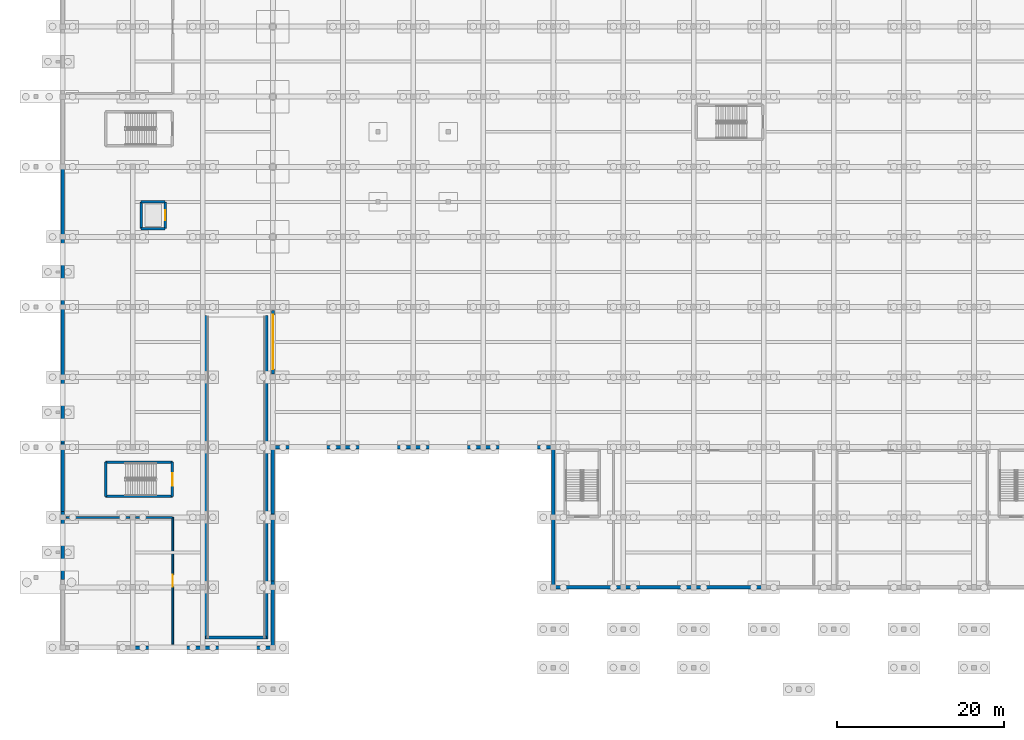
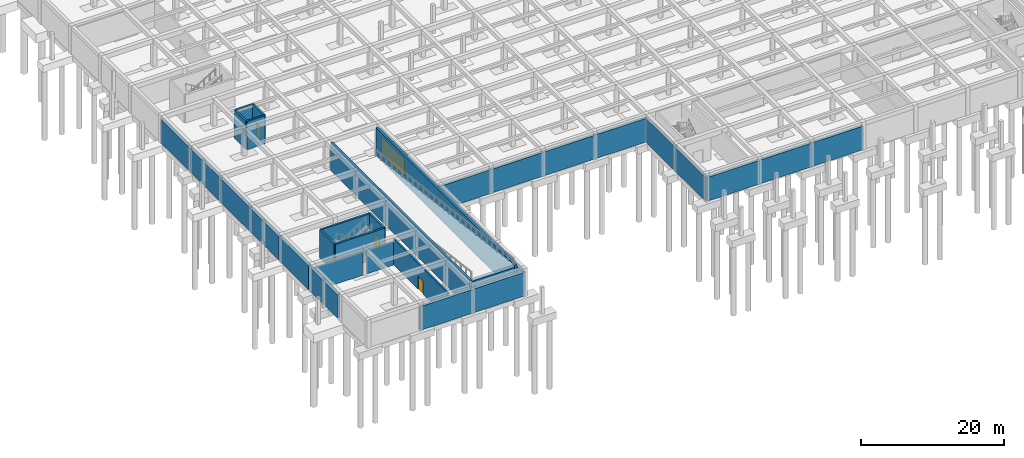
# One storey, part 24 of 51: 35 walls, 4 doors, 4 openings.
"""IFC4 building model written with IfcOpenShell, lengths in metres."""

from ifc_helpers import new_model, si_unit, direction, frame, frame_2d, origin, place, context, subcontext, project, spatial, rectangle, extrude, material, layer, layer_set, type_object, element, fill, save


model = new_model("IFC4")

# Units and contexts
model_context = context("Model", 3, precision=1e-05, world=origin(), true_north=direction((0.0, 1.0)))
body_context = subcontext(model_context, "Body", "Model", "MODEL_VIEW")
ifc_project = project(units=[si_unit("LENGTHUNIT", "METRE"), si_unit("AREAUNIT", "SQUARE_METRE"), si_unit("VOLUMEUNIT", "CUBIC_METRE"), si_unit("PLANEANGLEUNIT", "RADIAN"), si_unit("MASSUNIT", "GRAM", prefix="KILO")], contexts=[model_context])

# Site, building, storey
site_placement = place(None, origin())
site = spatial("IfcSite", under=ifc_project, at=site_placement, CompositionType="ELEMENT")
building_placement = place(site_placement, origin())
building = spatial("IfcBuilding", under=site, at=building_placement, Name="Varncliffe General Hospital", CompositionType="ELEMENT")
storey_placement = place(building_placement, frame((0.0, 0.0, -4.800048828125)))
storey = spatial("IfcBuildingStorey", under=building, at=storey_placement, Name="B1", CompositionType="ELEMENT", Elevation=-4.800048828125)

# Walls
ifc_material_1 = material(Name="Concrete C40/50 (CSA A23.1 40 MPa)", Category="concrete")
ifc_layer_1 = layer(ifc_material_1, 0.419921875)
ifc_layer_set_1 = layer_set([ifc_layer_1], Name="Concrete C40/50 (CSA A23.1 40 MPa)")
wall_type_1 = type_object("IfcWallType", Name="Exterior Insulated Stucco Wall EW28 (420mm)", PredefinedType="SOLIDWALL", material=ifc_layer_set_1)
wall_1_placement = place(storey_placement, frame((0.0, 40.800048828125, 0.0), z_axis=(0.0, 0.0, 1.0), x_axis=(0.0, 1.0, 0.0)))
element("IfcWall", 1, at=wall_1_placement, inside=storey, type_object=wall_type_1, Name="B1 Perimeter Retaining Wall 1", PredefinedType="SOLIDWALL", context=body_context, shape_type="SweptSolid", body=[
    extrude(rectangle(XDim=8.39990234375, YDim=0.419921875, at=frame_2d((4.199951171875, 0.0))), origin(), (0.0, 0.0, 1.0), 4.050048828125),
])
wall_2_placement = place(storey_placement, frame((0.0, 49.199951171875, 0.0), z_axis=(0.0, 0.0, 1.0), x_axis=(0.0, 1.0, 0.0)))
element("IfcWall", 2, at=wall_2_placement, inside=storey, type_object=wall_type_1, Name="B1 Perimeter Retaining Wall 2", PredefinedType="SOLIDWALL", context=body_context, shape_type="SweptSolid", body=[
    extrude(rectangle(XDim=8.400146484375, YDim=0.419921875, at=frame_2d((4.2001953125, 0.0))), origin(), (0.0, 0.0, 1.0), 4.050048828125),
])
wall_3_placement = place(storey_placement, frame((84.0, 7.199951171875, 0.0), z_axis=(0.0, 0.0, 1.0), x_axis=(-1.0, 0.0, 0.0)))
element("IfcWall", 3, at=wall_3_placement, inside=storey, type_object=wall_type_1, Name="B1 Perimeter Retaining Wall 67", PredefinedType="SOLIDWALL", context=body_context, shape_type="SweptSolid", body=[
    extrude(rectangle(XDim=8.39990234375, YDim=0.419921875, at=frame_2d((4.199951171875, 0.0))), origin(), (0.0, 0.0, 1.0), 4.050048828125),
])
wall_4_placement = place(storey_placement, frame((75.60009765625, 7.199951171875, 0.0), z_axis=(0.0, 0.0, 1.0), x_axis=(-1.0, 0.0, 0.0)))
element("IfcWall", 4, at=wall_4_placement, inside=storey, type_object=wall_type_1, Name="B1 Perimeter Retaining Wall 68", PredefinedType="SOLIDWALL", context=body_context, shape_type="SweptSolid", body=[
    extrude(rectangle(XDim=8.400146484375, YDim=0.419921875, at=frame_2d((4.2001953125, 0.0))), origin(), (0.0, 0.0, 1.0), 4.050048828125),
])
wall_5_placement = place(storey_placement, frame((67.199951171875, 7.199951171875, 0.0), z_axis=(0.0, 0.0, 1.0), x_axis=(-1.0, 0.0, 0.0)))
element("IfcWall", 5, at=wall_5_placement, inside=storey, type_object=wall_type_1, Name="B1 Perimeter Retaining Wall 69", PredefinedType="SOLIDWALL", context=body_context, shape_type="SweptSolid", body=[
    extrude(rectangle(XDim=8.39990234375, YDim=0.419921875, at=frame_2d((4.199951171875, 0.0))), origin(), (0.0, 0.0, 1.0), 4.050048828125),
])
wall_6_placement = place(storey_placement, frame((58.800048828125, 7.199951171875, 0.0), z_axis=(0.0, 0.0, 1.0), x_axis=(0.0, 1.0, 0.0)))
element("IfcWall", 6, at=wall_6_placement, inside=storey, type_object=wall_type_1, Name="B1 Perimeter Retaining Wall 70", PredefinedType="SOLIDWALL", context=body_context, shape_type="SweptSolid", body=[
    extrude(rectangle(XDim=8.400146484375, YDim=0.419921875, at=frame_2d((4.2001953125, 0.0))), origin(), (0.0, 0.0, 1.0), 4.050048828125),
])
wall_7_placement = place(storey_placement, frame((58.800048828125, 15.60009765625, 0.0), z_axis=(0.0, 0.0, 1.0), x_axis=(0.0, 1.0, 0.0)))
element("IfcWall", 7, at=wall_7_placement, inside=storey, type_object=wall_type_1, Name="B1 Perimeter Retaining Wall 71", PredefinedType="SOLIDWALL", context=body_context, shape_type="SweptSolid", body=[
    extrude(rectangle(XDim=8.39990234375, YDim=0.419921875, at=frame_2d((4.199951171875, 0.0))), origin(), (0.0, 0.0, 1.0), 4.050048828125),
])
wall_8_placement = place(storey_placement, frame((58.800048828125, 24.0, 0.0), z_axis=(0.0, 0.0, 1.0), x_axis=(-1.0, 0.0, 0.0)))
element("IfcWall", 8, at=wall_8_placement, inside=storey, type_object=wall_type_1, Name="B1 Perimeter Retaining Wall 72", PredefinedType="SOLIDWALL", context=body_context, shape_type="SweptSolid", body=[
    extrude(rectangle(XDim=8.400146484375, YDim=0.419921875, at=frame_2d((4.2001953125, 0.0))), origin(), (0.0, 0.0, 1.0), 4.050048828125),
])
for number, where, z_axis, x_axis, name in (
    (9, (50.39990234375, 24.0, 0.0), (0.0, 0.0, 1.0), (-1.0, 0.0, 0.0), "B1 Perimeter Retaining Wall 73"),
    (10, (42.0, 24.0, 0.0), (0.0, 0.0, 1.0), (-1.0, 0.0, 0.0), "B1 Perimeter Retaining Wall 74"),
):
    element("IfcWall", number, at=place(storey_placement, frame(where, z_axis=z_axis, x_axis=x_axis)), inside=storey, type_object=wall_type_1, Name=name, PredefinedType="SOLIDWALL", context=body_context, shape_type="SweptSolid", body=[
        extrude(rectangle(XDim=8.39990234375, YDim=0.419921875, at=frame_2d((4.199951171875, 0.0))), origin(), (0.0, 0.0, 1.0), 4.050048828125),
    ])
wall_9_placement = place(storey_placement, frame((33.60009765625, 24.0, 0.0), z_axis=(0.0, 0.0, 1.0), x_axis=(-1.0, 0.0, 0.0)))
element("IfcWall", 11, at=wall_9_placement, inside=storey, type_object=wall_type_1, Name="B1 Perimeter Retaining Wall 75", PredefinedType="SOLIDWALL", context=body_context, shape_type="SweptSolid", body=[
    extrude(rectangle(XDim=8.400146484375, YDim=0.419921875, at=frame_2d((4.2001953125, 0.0))), origin(), (0.0, 0.0, 1.0), 4.050048828125),
])
for number, where, z_axis, x_axis, name in (
    (12, (25.199951171875, 24.0, 0.0), (0.0, 0.0, 1.0), (0.0, -1.0, 0.0), "B1 Perimeter Retaining Wall 76"),
    (13, (25.199951171875, 16.0, 0.0), (0.0, 0.0, 1.0), (0.0, -1.0, 0.0), "B1 Perimeter Retaining Wall 77"),
    (14, (25.199951171875, 8.0, 0.0), (0.0, 0.0, 1.0), (0.0, -1.0, 0.0), "B1 Perimeter Retaining Wall 78"),
):
    element("IfcWall", number, at=place(storey_placement, frame(where, z_axis=z_axis, x_axis=x_axis)), inside=storey, type_object=wall_type_1, Name=name, PredefinedType="SOLIDWALL", context=body_context, shape_type="SweptSolid", body=[
        extrude(rectangle(XDim=8.0, YDim=0.419921875, at=frame_2d((4.0, 0.0))), origin(), (0.0, 0.0, 1.0), 4.050048828125),
    ])
wall_10_placement = place(storey_placement, frame((25.199951171875, 0.0, 0.0), z_axis=(0.0, 0.0, 1.0), x_axis=(-1.0, 0.0, 0.0)))
element("IfcWall", 15, at=wall_10_placement, inside=storey, type_object=wall_type_1, Name="B1 Perimeter Retaining Wall 79", PredefinedType="SOLIDWALL", context=body_context, shape_type="SweptSolid", body=[
    extrude(rectangle(XDim=8.39990234375, YDim=0.419921875, at=frame_2d((4.199951171875, 0.0))), origin(), (0.0, 0.0, 1.0), 4.050048828125),
])
wall_11_placement = place(storey_placement, frame((16.800048828125, 0.0, 0.0), z_axis=(0.0, 0.0, 1.0), x_axis=(-1.0, 0.0, 0.0)))
element("IfcWall", 16, at=wall_11_placement, inside=storey, type_object=wall_type_1, Name="B1 Perimeter Retaining Wall 80", PredefinedType="SOLIDWALL", context=body_context, shape_type="SweptSolid", body=[
    extrude(rectangle(XDim=8.400146484375, YDim=0.419921875, at=frame_2d((4.2001953125, 0.0))), origin(), (0.0, 0.0, 1.0), 4.050048828125),
])
wall_12_placement = place(storey_placement, frame((0.0, 8.159912109375, 0.0), z_axis=(0.0, 0.0, 1.0), x_axis=(0.0, 1.0, 0.0)))
element("IfcWall", 17, at=wall_12_placement, inside=storey, type_object=wall_type_1, Name="B1 Perimeter Retaining Wall 83", PredefinedType="SOLIDWALL", context=body_context, shape_type="SweptSolid", body=[
    extrude(rectangle(XDim=8.16015625, YDim=0.419921875, at=frame_2d((4.080078125, 0.0))), origin(), (0.0, 0.0, 1.0), 4.050048828125),
])
for number, where, z_axis, x_axis, name in (
    (18, (0.0, 16.320068359375, 0.0), (0.0, 0.0, 1.0), (0.0, 1.0, 0.0), "B1 Perimeter Retaining Wall 84"),
    (19, (0.0, 24.47998046875, 0.0), (0.0, 0.0, 1.0), (0.0, 1.0, 0.0), "B1 Perimeter Retaining Wall 85"),
):
    element("IfcWall", number, at=place(storey_placement, frame(where, z_axis=z_axis, x_axis=x_axis)), inside=storey, type_object=wall_type_1, Name=name, PredefinedType="SOLIDWALL", context=body_context, shape_type="SweptSolid", body=[
        extrude(rectangle(XDim=8.159912109375, YDim=0.419921875, at=frame_2d((4.080078125, 0.0))), origin(), (0.0, 0.0, 1.0), 4.050048828125),
    ])
wall_13_placement = place(storey_placement, frame((0.0, 32.639892578125, 0.0), z_axis=(0.0, 0.0, 1.0), x_axis=(0.0, 1.0, 0.0)))
element("IfcWall", 20, at=wall_13_placement, inside=storey, type_object=wall_type_1, Name="B1 Perimeter Retaining Wall 86", PredefinedType="SOLIDWALL", context=body_context, shape_type="SweptSolid", body=[
    extrude(rectangle(XDim=8.16015625, YDim=0.419921875, at=frame_2d((4.080078125, 0.0))), origin(), (0.0, 0.0, 1.0), 4.050048828125),
])
ifc_material_2 = material(Name="Fire-rated gypsum and mineral-wool partition assembly", Category="gypsum")
ifc_layer_2 = layer(ifc_material_2, 0.25)
ifc_layer_set_2 = layer_set([ifc_layer_2], Name="Fire-rated gypsum and mineral-wool partition assembly")
wall_type_2 = type_object("IfcWallType", Name="Interior Partitioning PW38 (250mm)", PredefinedType="PARTITIONING", material=ifc_layer_set_2)
wall_14_placement = place(storey_placement, frame((0.39990234375, 15.60009765625, 0.0), z_axis=(0.0, 0.0, 1.0), x_axis=(1.0, 0.0, 0.0)))
element("IfcWall", 21, at=wall_14_placement, inside=storey, type_object=wall_type_2, Name="B1 Interior Partition Wall PW38-1", PredefinedType="PARTITIONING", context=body_context, shape_type="SweptSolid", body=[
    extrude(rectangle(XDim=7.66015625, YDim=0.25, at=frame_2d((3.830078125, 0.0))), origin(), (0.0, 0.0, 1.0), 3.985107421875),
])
wall_15_placement = place(storey_placement, frame((8.739990234375, 15.60009765625, 0.0), z_axis=(0.0, 0.0, 1.0), x_axis=(1.0, 0.0, 0.0)))
element("IfcWall", 22, at=wall_15_placement, inside=storey, type_object=wall_type_2, Name="B1 Interior Partition Wall PW38-2", PredefinedType="PARTITIONING", context=body_context, shape_type="SweptSolid", body=[
    extrude(rectangle(XDim=4.4599609375, YDim=0.25, at=frame_2d((2.22998046875, 0.0))), origin(), (0.0, 0.0, 1.0), 3.985107421875),
])

# Wall, opening, door
ifc_layer_3 = layer(ifc_material_2, 0.22998046875)
ifc_layer_set_3 = layer_set([ifc_layer_3], Name="Fire-rated gypsum and mineral-wool partition assembly")
wall_type_3 = type_object("IfcWallType", Name="Interior Partitioning PW48 (230mm)", PredefinedType="PARTITIONING", material=ifc_layer_set_3)
wall_16_placement = place(storey_placement, frame((13.199951171875, 0.39990234375, 0.0), z_axis=(0.0, 0.0, 1.0), x_axis=(0.0, 1.0, 0.0)))
wall_16 = element("IfcWall", 23, at=wall_16_placement, inside=storey, type_object=wall_type_3, Name="B1 Interior Partition Wall PW48-44", PredefinedType="PARTITIONING", context=body_context, shape_type="SweptSolid", body=[
    extrude(rectangle(XDim=15.2001953125, YDim=0.22998046875, at=frame_2d((7.60009765625, 0.0))), origin(), (0.0, 0.0, 1.0), 4.43994140625),
])
opening_1_placement = place(wall_16_placement, frame((6.875, 0.0, 0.0)))
opening_1 = element("IfcOpeningElement", 24, at=opening_1_placement, cuts=wall_16, Name="Opening DC66", PredefinedType="OPENING", context=body_context, shape_type="SweptSolid", body=[
    extrude(rectangle(XDim=1.449951171875, YDim=2.25, at=frame_2d((0.72509765625, 1.125))), frame((0.0, 0.125, 0.0), z_axis=(0.0, -1.0, 0.0), x_axis=(1.0, 0.0, 0.0)), (0.0, 0.0, 1.0), 0.25),
])
ifc_material_3 = material(Name="Fire-rated hospital steel-frame vision-panel door", Category="steel")
door_type_1 = type_object("IfcDoorType", Name="Interior Hospital Door DC66 (1450x2250)", OperationType="NOTDEFINED", PredefinedType="DOOR", material=ifc_material_3)
door_1_placement = place(opening_1_placement, origin())
door_1 = element("IfcDoor", 25, at=door_1_placement, inside=storey, type_object=door_type_1, Name="B1 Emergency Decontamination and Equipment Plant Door", OperationType="SINGLE_SWING_RIGHT", OverallHeight=2.25, OverallWidth=1.449951171875, PredefinedType="DOOR", context=body_context, shape_type="SweptSolid", body=[
    extrude(rectangle(XDim=1.449951171875, YDim=2.25, at=frame_2d((0.72509765625, 1.125))), frame((0.0, 0.02490234375, 0.0), z_axis=(0.0, -1.0, 0.0), x_axis=(1.0, 0.0, 0.0)), (0.0, 0.0, 1.0), 0.050048828125),
])
fill(opening_1, door_1)

# Walls
ifc_layer_4 = layer(ifc_material_1, 0.300048828125)
ifc_layer_set_4 = layer_set([ifc_layer_4], Name="Concrete C40/50 (CSA A23.1 40 MPa)")
wall_type_4 = type_object("IfcWallType", Name="Reinforced Concrete Core Shear Wall CW12 (300mm)", PredefinedType="SHEAR", material=ifc_layer_set_4)
wall_17_placement = place(storey_placement, frame((13.14990234375, 22.199951171875, 0.0), z_axis=(0.0, 0.0, 1.0), x_axis=(-1.0, 0.0, 0.0)))
element("IfcWall", 26, at=wall_17_placement, inside=storey, type_object=wall_type_4, Name="B1 ST08 Core Shear Wall L", PredefinedType="SHEAR", context=body_context, shape_type="SweptSolid", body=[
    extrude(rectangle(XDim=8.0, YDim=0.300048828125, at=frame_2d((4.0, 0.0))), origin(), (0.0, 0.0, 1.0), 4.800048828125),
])
wall_18_placement = place(storey_placement, frame((5.14990234375, 22.199951171875, 0.0), z_axis=(0.0, 0.0, 1.0), x_axis=(0.0, -1.0, 0.0)))
element("IfcWall", 27, at=wall_18_placement, inside=storey, type_object=wall_type_4, Name="B1 ST08 Core Shear Wall F", PredefinedType="SHEAR", context=body_context, shape_type="SweptSolid", body=[
    extrude(rectangle(XDim=4.099853515625, YDim=0.300048828125, at=frame_2d((2.0498046875, 0.0))), origin(), (0.0, 0.0, 1.0), 4.800048828125),
])
wall_19_placement = place(storey_placement, frame((5.14990234375, 18.10009765625, 0.0), z_axis=(0.0, 0.0, 1.0), x_axis=(1.0, 0.0, 0.0)))
element("IfcWall", 28, at=wall_19_placement, inside=storey, type_object=wall_type_4, Name="B1 ST08 Core Shear Wall R", PredefinedType="SHEAR", context=body_context, shape_type="SweptSolid", body=[
    extrude(rectangle(XDim=8.0, YDim=0.300048828125, at=frame_2d((4.0, 0.0))), origin(), (0.0, 0.0, 1.0), 4.800048828125),
])

# Wall, opening, door
wall_20_placement = place(storey_placement, frame((13.14990234375, 18.10009765625, 0.0), z_axis=(0.0, 0.0, 1.0), x_axis=(0.0, 1.0, 0.0)))
wall_20 = element("IfcWall", 29, at=wall_20_placement, inside=storey, type_object=wall_type_4, Name="B1 ST08 Core Shear Wall N", PredefinedType="SHEAR", context=body_context, shape_type="SweptSolid", body=[
    extrude(rectangle(XDim=4.099853515625, YDim=0.300048828125, at=frame_2d((2.0498046875, 0.0))), origin(), (0.0, 0.0, 1.0), 4.800048828125),
])
opening_2_placement = place(wall_20_placement, frame((1.300048828125, 0.0, 0.0)))
opening_2 = element("IfcOpeningElement", 30, at=opening_2_placement, cuts=wall_20, Name="Opening DF28", PredefinedType="OPENING", context=body_context, shape_type="SweptSolid", body=[
    extrude(rectangle(XDim=1.5, YDim=2.199951171875, at=frame_2d((0.75, 1.10009765625))), frame((0.0, 0.16015625, 0.0), z_axis=(0.0, -1.0, 0.0), x_axis=(1.0, 0.0, 0.0)), (0.0, 0.0, 1.0), 0.320068359375),
])
door_type_2 = type_object("IfcDoorType", Name="Interior Hospital Door DF28 (1500x2200)", OperationType="NOTDEFINED", PredefinedType="DOOR", material=ifc_material_3)
door_2_placement = place(opening_2_placement, frame((1.5, 0.0, 0.0), z_axis=(0.0, 0.0, 1.0), x_axis=(-1.0, 0.0, 0.0)))
door_2 = element("IfcDoor", 31, at=door_2_placement, inside=storey, type_object=door_type_2, Name="B1 ST08 Protected Exit Stair Door", OperationType="SINGLE_SWING_RIGHT", OverallHeight=2.199951171875, OverallWidth=1.5, PredefinedType="DOOR", context=body_context, shape_type="SweptSolid", body=[
    extrude(rectangle(XDim=1.5, YDim=2.199951171875, at=frame_2d((0.75, 1.10009765625))), frame((0.0, 0.02490234375, 0.0), z_axis=(0.0, -1.0, 0.0), x_axis=(1.0, 0.0, 0.0)), (0.0, 0.0, 1.0), 0.050048828125),
])
fill(opening_2, door_2)

# Wall
wall_21_placement = place(storey_placement, frame((9.39990234375, 50.199951171875, 0.0), z_axis=(0.0, 0.0, 1.0), x_axis=(1.0, 0.0, 0.0)))
element("IfcWall", 32, at=wall_21_placement, inside=storey, type_object=wall_type_4, Name="B1 LF06 Elevator Shaft Wall South", PredefinedType="SHEAR", context=body_context, shape_type="SweptSolid", body=[
    extrude(rectangle(XDim=2.900146484375, YDim=0.300048828125, at=frame_2d((1.4501953125, 0.0))), origin(), (0.0, 0.0, 1.0), 4.800048828125),
])

# Wall, opening, door
wall_22_placement = place(storey_placement, frame((12.300048828125, 50.199951171875, 0.0), z_axis=(0.0, 0.0, 1.0), x_axis=(0.0, 1.0, 0.0)))
wall_22 = element("IfcWall", 33, at=wall_22_placement, inside=storey, type_object=wall_type_4, Name="B1 LF06 Elevator Shaft Wall East", PredefinedType="SHEAR", context=body_context, shape_type="SweptSolid", body=[
    extrude(rectangle(XDim=3.199951171875, YDim=0.300048828125, at=frame_2d((1.60009765625, 0.0))), origin(), (0.0, 0.0, 1.0), 4.800048828125),
])
opening_3_placement = place(wall_22_placement, frame((1.0, 0.0, 0.0)))
opening_3 = element("IfcOpeningElement", 34, at=opening_3_placement, cuts=wall_22, Name="Opening LD01", PredefinedType="OPENING", context=body_context, shape_type="SweptSolid", body=[
    extrude(rectangle(XDim=1.199951171875, YDim=2.199951171875, at=frame_2d((0.60009765625, 1.10009765625))), frame((0.0, 0.16015625, 0.0), z_axis=(0.0, -1.0, 0.0), x_axis=(1.0, 0.0, 0.0)), (0.0, 0.0, 1.0), 0.320068359375),
])
ifc_material_4 = material(Name="Brushed stainless-steel sliding elevator landing door", Category="steel")
door_type_3 = type_object("IfcDoorType", Name="Lift Landing Door LD01 (1200x2200)", OperationType="DOUBLE_DOOR_SLIDING", PredefinedType="DOOR", material=ifc_material_4)
door_3_placement = place(opening_3_placement, origin())
door_3 = element("IfcDoor", 35, at=door_3_placement, inside=storey, type_object=door_type_3, Name="Lift Landing Door LF06 B1", OperationType="DOUBLE_DOOR_SLIDING", OverallHeight=2.199951171875, OverallWidth=1.199951171875, PredefinedType="DOOR", context=body_context, shape_type="SweptSolid", body=[
    extrude(rectangle(XDim=1.199951171875, YDim=2.199951171875, at=frame_2d((0.60009765625, 1.10009765625))), frame((0.0, 0.02490234375, 0.0), z_axis=(0.0, -1.0, 0.0), x_axis=(1.0, 0.0, 0.0)), (0.0, 0.0, 1.0), 0.050048828125),
])
fill(opening_3, door_3)

# Walls
wall_23_placement = place(storey_placement, frame((12.300048828125, 53.39990234375, 0.0), z_axis=(0.0, 0.0, 1.0), x_axis=(-1.0, 0.0, 0.0)))
element("IfcWall", 36, at=wall_23_placement, inside=storey, type_object=wall_type_4, Name="B1 LF06 Elevator Shaft Wall North", PredefinedType="SHEAR", context=body_context, shape_type="SweptSolid", body=[
    extrude(rectangle(XDim=2.900146484375, YDim=0.300048828125, at=frame_2d((1.4501953125, 0.0))), origin(), (0.0, 0.0, 1.0), 4.800048828125),
])
wall_24_placement = place(storey_placement, frame((9.39990234375, 53.39990234375, 0.0), z_axis=(0.0, 0.0, 1.0), x_axis=(0.0, -1.0, 0.0)))
element("IfcWall", 37, at=wall_24_placement, inside=storey, type_object=wall_type_4, Name="B1 LF06 Elevator Shaft Wall West", PredefinedType="SHEAR", context=body_context, shape_type="SweptSolid", body=[
    extrude(rectangle(XDim=3.199951171875, YDim=0.300048828125, at=frame_2d((1.60009765625, 0.0))), origin(), (0.0, 0.0, 1.0), 4.800048828125),
])
ifc_layer_5 = layer(ifc_material_1, 0.360107421875)
ifc_layer_set_5 = layer_set([ifc_layer_5], Name="Concrete C40/50 (CSA A23.1 40 MPa)")
wall_type_5 = type_object("IfcWallType", Name="Reinforced Concrete Core Shear Wall CW28 (360mm)", PredefinedType="SHEAR", material=ifc_layer_set_5)
for number, where, z_axis, x_axis, name in (
    (38, (17.14990234375, 1.0, 0.0), (0.0, 0.0, 1.0), (0.0, 1.0, 0.0), "B1 Vehicle Ramp West Structural Wall"),
    (39, (24.449951171875, 1.0, 0.0), (0.0, 0.0, 1.0), (0.0, 1.0, 0.0), "B1 Vehicle Ramp East Structural Wall"),
):
    element("IfcWall", number, at=place(storey_placement, frame(where, z_axis=z_axis, x_axis=x_axis)), inside=storey, type_object=wall_type_5, Name=name, PredefinedType="SHEAR", context=body_context, shape_type="SweptSolid", body=[
        extrude(rectangle(XDim=38.800048828125, YDim=0.360107421875, at=frame_2d((19.39990234375, 0.0))), origin(), (0.0, 0.0, 1.0), 4.800048828125),
    ])
wall_25_placement = place(storey_placement, frame((17.14990234375, 1.199951171875, 0.0), z_axis=(0.0, 0.0, 1.0), x_axis=(1.0, 0.0, 0.0)))
element("IfcWall", 40, at=wall_25_placement, inside=storey, type_object=wall_type_5, Name="B1 Vehicle Ramp Top Threshold Support Wall", PredefinedType="SHEAR", context=body_context, shape_type="SweptSolid", body=[
    extrude(rectangle(XDim=7.300048828125, YDim=0.360107421875, at=frame_2d((3.64990234375, 0.0))), origin(), (0.0, 0.0, 1.0), 4.4599609375),
])

# Wall, opening, door
ifc_layer_6 = layer(ifc_material_1, 0.35009765625)
ifc_layer_set_6 = layer_set([ifc_layer_6], Name="Concrete C40/50 (CSA A23.1 40 MPa)")
wall_type_6 = type_object("IfcWallType", Name="Reinforced Concrete Core Shear Wall CW35 (350mm)", PredefinedType="SHEAR", material=ifc_layer_set_6)
wall_26_placement = place(storey_placement, frame((25.199951171875, 32.800048828125, 0.0), z_axis=(0.0, 0.0, 1.0), x_axis=(0.0, 1.0, 0.0)))
wall_26 = element("IfcWall", 41, at=wall_26_placement, inside=storey, type_object=wall_type_6, Name="B1 Car-Park Ramp Fire Portal Wall", PredefinedType="SHEAR", context=body_context, shape_type="SweptSolid", body=[
    extrude(rectangle(XDim=7.599853515625, YDim=0.35009765625, at=frame_2d((3.7998046875, 0.0))), origin(), (0.0, 0.0, 1.0), 4.0),
])
opening_4_placement = place(wall_26_placement, frame((0.550048828125, 0.0, 0.0)))
opening_4 = element("IfcOpeningElement", 42, at=opening_4_placement, cuts=wall_26, Name="Opening VG43", PredefinedType="OPENING", context=body_context, shape_type="SweptSolid", body=[
    extrude(rectangle(XDim=6.5, YDim=3.0, at=frame_2d((3.25, 1.5))), frame((0.0, 0.18505859375, 0.0), z_axis=(0.0, -1.0, 0.0), x_axis=(1.0, 0.0, 0.0)), (0.0, 0.0, 1.0), 0.3701171875),
])
ifc_material_5 = material(Name="Insulated motorized dark bronze bi-parting vehicle gate", Category="aluminium")
door_type_4 = type_object("IfcDoorType", Name="Interior Ramp Vehicle Gate VG43 (6500x3000)", OperationType="DOUBLE_DOOR_SLIDING", PredefinedType="GATE", material=ifc_material_5)
door_4_placement = place(opening_4_placement, origin())
door_4 = element("IfcDoor", 43, at=door_4_placement, inside=storey, type_object=door_type_4, Name="Vehicle Gate VG-03 Basement Ramp Fire Shutter", OperationType="DOUBLE_DOOR_SLIDING", OverallHeight=3.0, OverallWidth=6.5, PredefinedType="GATE", context=body_context, shape_type="SweptSolid", body=[
    extrude(rectangle(XDim=6.5, YDim=3.0, at=frame_2d((3.25, 1.5))), frame((0.0, 0.02490234375, 0.0), z_axis=(0.0, -1.0, 0.0), x_axis=(1.0, 0.0, 0.0)), (0.0, 0.0, 1.0), 0.050048828125),
])
fill(opening_4, door_4)

save(model, "model.ifc")
